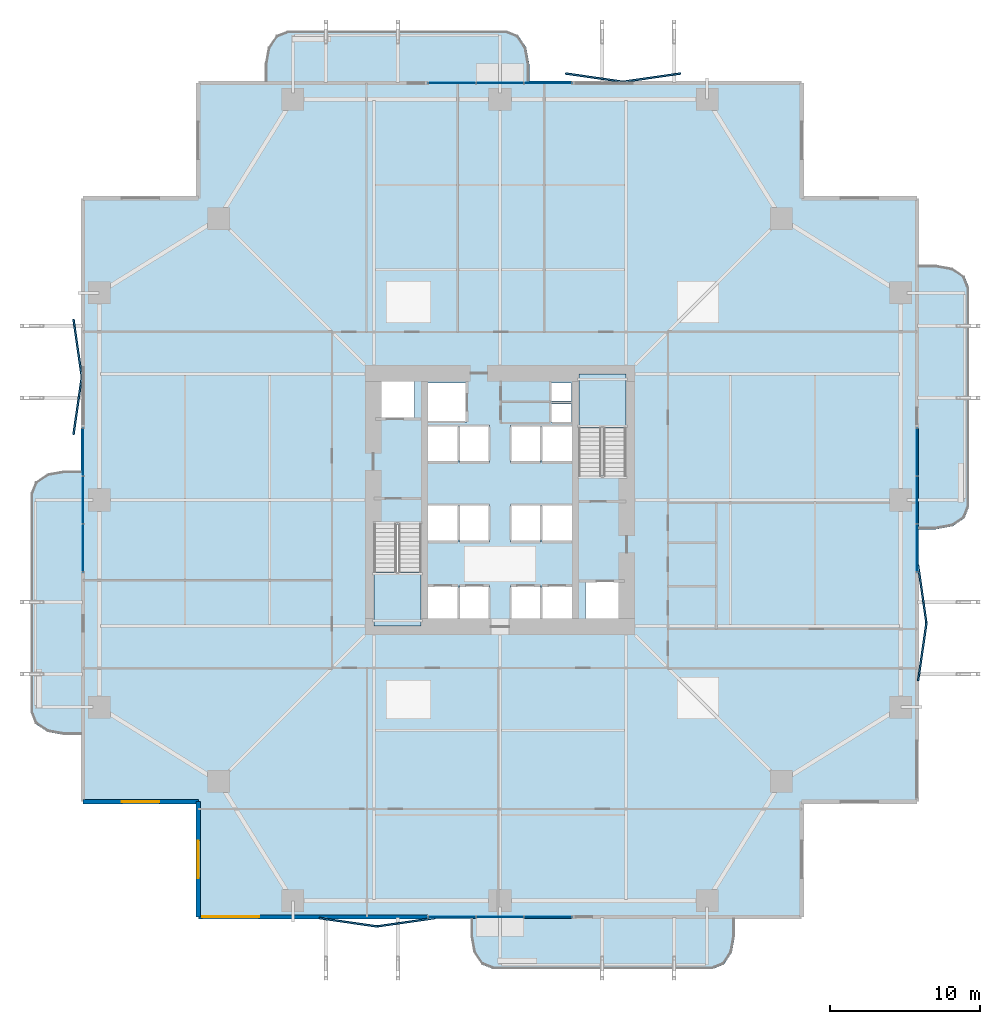
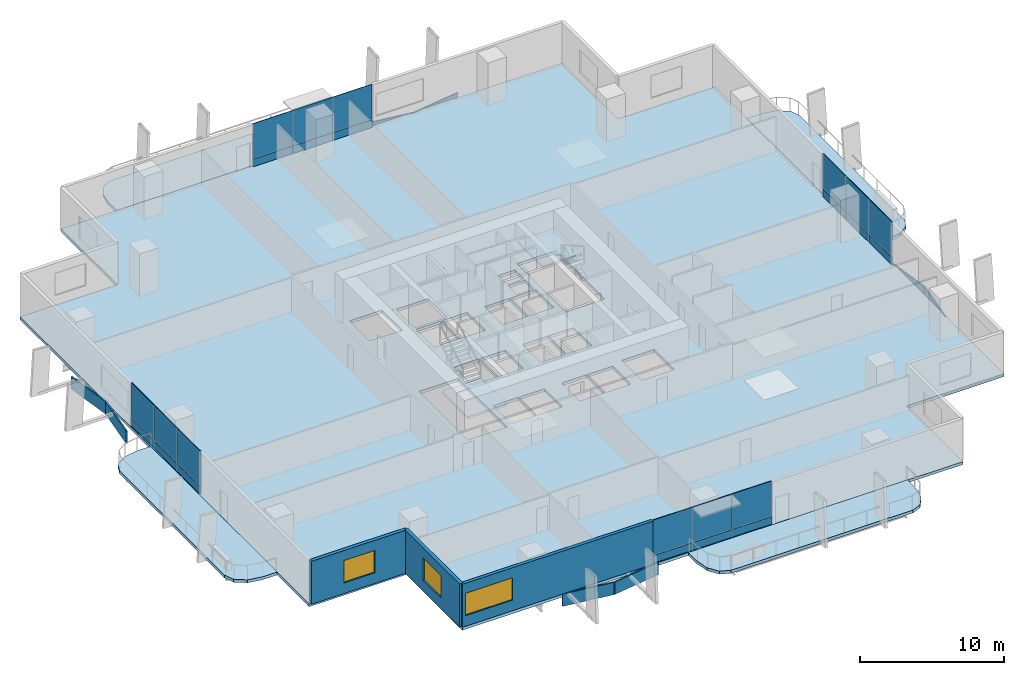
# One storey, part 16 of 24: 32 plates, 7 slabs, 3 walls, 3 windows, 3 openings, 6 elements without a shape of their own.
"""IFC4 building model written with IfcOpenShell, lengths in metres."""

from ifc_helpers import new_model, si_unit, direction, frame, frame_2d, origin, origin_2d, place, context, subcontext, project, spatial, polyline, rectangle, outline, extrude, material, layer, layer_set, type_object, element, fill, aggregate, save


model = new_model("IFC4")

# Units and contexts
model_context = context("Model", 3, precision=1e-05, world=origin(), true_north=direction((0.0, 1.0)))
body_context = subcontext(model_context, "Body", "Model", "MODEL_VIEW")
ifc_project = project(units=[si_unit("LENGTHUNIT", "METRE"), si_unit("AREAUNIT", "SQUARE_METRE"), si_unit("VOLUMEUNIT", "CUBIC_METRE"), si_unit("PLANEANGLEUNIT", "RADIAN"), si_unit("MASSUNIT", "GRAM", prefix="KILO")], contexts=[model_context])

# Site, building, storey
site_placement = place(None, origin())
site = spatial("IfcSite", under=ifc_project, at=site_placement, CompositionType="ELEMENT")
building_placement = place(site_placement, origin())
building = spatial("IfcBuilding", under=site, at=building_placement, Name="Belovzor Exchange Tower", CompositionType="ELEMENT")
storey_placement = place(building_placement, frame((0.0, 0.0, 33.89990234375)))
storey = spatial("IfcBuildingStorey", under=building, at=storey_placement, Name="L07", CompositionType="ELEMENT", Elevation=33.89990234375)

# Slab
ifc_material_1 = material(Name="Concrete C40/50", Category="concrete")
ifc_layer_1 = layer(ifc_material_1, 0.25)
ifc_layer_set_1 = layer_set([ifc_layer_1], Name="Concrete C40/50")
slab_type_1 = type_object("IfcSlabType", Name="Composite Concrete Floor Deck Slab 250", PredefinedType="FLOOR", material=ifc_layer_set_1)
slab_1_placement = place(storey_placement, frame((0.0, 0.0, -0.25)))
element("IfcSlab", 1, at=slab_1_placement, inside=storey, type_object=slab_type_1, Name="SL-F250 Structural Slab L07", PredefinedType="FLOOR", context=body_context, shape_type="SweptSolid", body=[
    extrude(outline(polyline([(8.699951171875, 0.89990234375), (48.89990234375, 0.89990234375), (48.89990234375, 8.699951171875), (56.699951171875, 8.699951171875), (56.699951171875, 48.89990234375), (48.89990234375, 48.89990234375), (48.89990234375, 56.699951171875), (8.699951171875, 56.699951171875), (8.699951171875, 48.89990234375), (0.89990234375, 48.89990234375), (0.89990234375, 8.699951171875), (8.699951171875, 8.699951171875), (8.699951171875, 0.89990234375)]), holes=[polyline([(20.39990234375, 27.175048828125), (20.39990234375, 20.39990234375), (23.550048828125, 20.39990234375), (23.550048828125, 27.175048828125), (20.39990234375, 27.175048828125)]), polyline([(37.199951171875, 30.425048828125), (37.199951171875, 37.199951171875), (34.050048828125, 37.199951171875), (34.050048828125, 30.425048828125), (37.199951171875, 30.425048828125)]), polyline([(20.5, 34.199951171875), (23.10009765625, 34.199951171875), (23.10009765625, 37.0), (20.5, 37.0), (20.5, 34.199951171875)]), polyline([(34.5, 20.60009765625), (37.10009765625, 20.60009765625), (37.10009765625, 23.39990234375), (34.5, 23.39990234375), (34.5, 20.60009765625)]), polyline([(24.0, 34.0), (26.60009765625, 34.0), (26.60009765625, 36.60009765625), (24.0, 36.60009765625), (24.0, 34.0)]), polyline([(24.0, 20.60009765625), (26.0, 20.60009765625), (26.0, 23.10009765625), (24.0, 23.10009765625), (24.0, 20.60009765625)]), polyline([(26.10009765625, 20.60009765625), (28.10009765625, 20.60009765625), (28.10009765625, 23.10009765625), (26.10009765625, 23.10009765625), (26.10009765625, 20.60009765625)]), polyline([(29.5, 20.60009765625), (31.5, 20.60009765625), (31.5, 23.10009765625), (29.5, 23.10009765625), (29.5, 20.60009765625)]), polyline([(31.60009765625, 20.60009765625), (33.60009765625, 20.60009765625), (33.60009765625, 23.10009765625), (31.60009765625, 23.10009765625), (31.60009765625, 20.60009765625)]), polyline([(24.0, 26.0), (26.0, 26.0), (26.0, 28.5), (24.0, 28.5), (24.0, 26.0)]), polyline([(26.10009765625, 26.0), (28.10009765625, 26.0), (28.10009765625, 28.5), (26.10009765625, 28.5), (26.10009765625, 26.0)]), polyline([(29.5, 26.0), (31.5, 26.0), (31.5, 28.5), (29.5, 28.5), (29.5, 26.0)]), polyline([(31.60009765625, 26.0), (33.60009765625, 26.0), (33.60009765625, 28.5), (31.60009765625, 28.5), (31.60009765625, 26.0)]), polyline([(24.0, 31.300048828125), (26.0, 31.300048828125), (26.0, 33.800048828125), (24.0, 33.800048828125), (24.0, 31.300048828125)]), polyline([(26.10009765625, 31.300048828125), (28.10009765625, 31.300048828125), (28.10009765625, 33.800048828125), (26.10009765625, 33.800048828125), (26.10009765625, 31.300048828125)]), polyline([(29.5, 31.300048828125), (31.5, 31.300048828125), (31.5, 33.800048828125), (29.5, 33.800048828125), (29.5, 31.300048828125)]), polyline([(31.60009765625, 31.300048828125), (33.60009765625, 31.300048828125), (33.60009765625, 33.800048828125), (31.60009765625, 33.800048828125), (31.60009765625, 31.300048828125)]), polyline([(32.199951171875, 34.0), (33.550048828125, 34.0), (33.550048828125, 35.199951171875), (32.199951171875, 35.199951171875), (32.199951171875, 34.0)]), polyline([(32.199951171875, 35.39990234375), (33.550048828125, 35.39990234375), (33.550048828125, 36.60009765625), (32.199951171875, 36.60009765625), (32.199951171875, 35.39990234375)])]), origin(), (0.0, 0.0, 1.0), 0.25),
])

# Plates
ifc_material_2 = material(Name="Extruded Architectural Terracotta", Category="masonry")
ifc_layer_2 = layer(ifc_material_2, 0.1201171875)
ifc_layer_set_2 = layer_set([ifc_layer_2], Name="Extruded Architectural Terracotta")
plate_type_1 = type_object("IfcPlateType", Name="Folded Zigzag Terracotta Spandrel Louvre 80", PredefinedType="USERDEFINED", material=ifc_layer_set_2)
for number, where, z_axis, x_axis, name in (
    (2, (18.699951171875, 0.6650390625, -1.03515625), (0.0, 0.0, 1.0), (0.989686419138, -0.143250800258, 0.0), "LVR-ZZ1 Zigzag Terracotta Spandrel Louvre L07 S1A"),
    (3, (22.5, 0.6650390625, -1.03515625), (0.0, 0.0, 1.0), (0.989686419138, 0.143250800258, 0.0), "LVR-ZZ1 Zigzag Terracotta Spandrel Louvre L07 S1B"),
    (4, (56.93505859375, 18.699951171875, -1.03515625), (0.0, 0.0, 1.0), (0.143250800258, 0.989686419138, 0.0), "LVR-ZZ1 Zigzag Terracotta Spandrel Louvre L07 E1A"),
    (5, (56.93505859375, 22.5, -1.03515625), (0.0, 0.0, 1.0), (-0.143250800258, 0.989686419138, 0.0), "LVR-ZZ1 Zigzag Terracotta Spandrel Louvre L07 E1B"),
    (6, (35.10009765625, 56.93505859375, -1.03515625), (0.0, 0.0, 1.0), (0.989686419138, -0.143250800258, 0.0), "LVR-ZZ1 Zigzag Terracotta Spandrel Louvre L07 N2A"),
    (7, (38.89990234375, 56.93505859375, -1.03515625), (0.0, 0.0, 1.0), (0.989686419138, 0.143250800258, 0.0), "LVR-ZZ1 Zigzag Terracotta Spandrel Louvre L07 N2B"),
    (8, (0.6650390625, 35.10009765625, -1.03515625), (0.0, 0.0, 1.0), (0.143250800258, 0.989686419138, 0.0), "LVR-ZZ1 Zigzag Terracotta Spandrel Louvre L07 W2A"),
    (9, (0.6650390625, 38.89990234375, -1.03515625), (0.0, 0.0, 1.0), (-0.143250800258, 0.989686419138, 0.0), "LVR-ZZ1 Zigzag Terracotta Spandrel Louvre L07 W2B"),
):
    element("IfcPlate", number, at=place(storey_placement, frame(where, z_axis=z_axis, x_axis=x_axis)), inside=storey, type_object=plate_type_1, Name=name, ObjectType="SPANDREL_LOUVRE", PredefinedType="USERDEFINED", context=body_context, shape_type="SweptSolid", body=[
        extrude(rectangle(XDim=3.919921875, YDim=0.1201171875, at=origin_2d()), origin(), (0.0, 0.0, 1.0), 1.050048828125),
    ])

# Curtain wall, plates
ifc_material_3 = material(Name="Anodised Aluminium Framing", Category="aluminium")
ifc_layer_3 = layer(ifc_material_3, 0.179931640625)
ifc_layer_set_3 = layer_set([ifc_layer_3], Name="Anodised Aluminium Framing")
curtain_wall_type = type_object("IfcCurtainWallType", Name="Recessed Loggia Low-Iron Triple-Glazed Curtain Wall", PredefinedType="NOTDEFINED", material=ifc_layer_set_3)
curtain_wall_1_placement = place(storey_placement, origin())
curtain_wall_1 = element("IfcCurtainWall", 10, at=curtain_wall_1_placement, inside=storey, type_object=curtain_wall_type, Name="CW3 Recessed Loggia Low-Iron Triple-Glazed Curtain Wall L07", PredefinedType="NOTDEFINED")
ifc_material_4 = material(Name="Solar-Control Triple Glazing", Category="glass")
ifc_layer_4 = layer(ifc_material_4, 0.0439453125)
ifc_layer_set_4 = layer_set([ifc_layer_4], Name="Solar-Control Triple Glazing")
plate_type_2 = type_object("IfcPlateType", Name="Insulated Solar Glazing Curtain Panel 44", PredefinedType="CURTAIN_PANEL", material=ifc_layer_set_4)
plate_1_placement = place(storey_placement, frame((32.0, 1.030029296875, 0.652099609375), z_axis=(0.0, 0.0, 1.0), x_axis=(-1.0, 0.0, 0.0)))
plate_1 = element("IfcPlate", 11, at=plate_1_placement, type_object=plate_type_2, Name="GLZ-44 Glazed Curtain Panel 1", PredefinedType="CURTAIN_PANEL", context=body_context, shape_type="SweptSolid", body=[
    extrude(rectangle(XDim=3.18408203125, YDim=0.0439453125, at=origin_2d()), origin(), (0.0, 0.0, 1.0), 2.998046875),
])
plate_2_placement = place(storey_placement, frame((28.800048828125, 1.030029296875, 0.652099609375), z_axis=(0.0, 0.0, 1.0), x_axis=(-1.0, 0.0, 0.0)))
plate_2 = element("IfcPlate", 12, at=plate_2_placement, type_object=plate_type_2, Name="GLZ-44 Glazed Curtain Panel 2", PredefinedType="CURTAIN_PANEL", context=body_context, shape_type="SweptSolid", body=[
    extrude(rectangle(XDim=3.18408203125, YDim=0.0439453125, at=origin_2d()), origin(), (0.0, 0.0, 1.0), 2.998046875),
])
plate_3_placement = place(storey_placement, frame((25.60009765625, 1.030029296875, 0.652099609375), z_axis=(0.0, 0.0, 1.0), x_axis=(-1.0, 0.0, 0.0)))
plate_3 = element("IfcPlate", 13, at=plate_3_placement, type_object=plate_type_2, Name="GLZ-44 Glazed Curtain Panel 3", PredefinedType="CURTAIN_PANEL", context=body_context, shape_type="SweptSolid", body=[
    extrude(rectangle(XDim=3.18408203125, YDim=0.0439453125, at=origin_2d()), origin(), (0.0, 0.0, 1.0), 2.998046875),
])

curtain_wall_2_placement = place(storey_placement, origin())
curtain_wall_2 = element("IfcCurtainWall", 14, at=curtain_wall_2_placement, inside=storey, type_object=curtain_wall_type, Name="CW3 Recessed Loggia Low-Iron Triple-Glazed Curtain Wall L07", PredefinedType="NOTDEFINED")
plate_4_placement = place(storey_placement, frame((25.60009765625, 56.570068359375, 0.652099609375), z_axis=(0.0, 0.0, 1.0), x_axis=(1.0, 0.0, 0.0)))
plate_4 = element("IfcPlate", 15, at=plate_4_placement, type_object=plate_type_2, Name="GLZ-44 Glazed Curtain Panel 1", PredefinedType="CURTAIN_PANEL", context=body_context, shape_type="SweptSolid", body=[
    extrude(rectangle(XDim=3.18408203125, YDim=0.0439453125, at=origin_2d()), origin(), (0.0, 0.0, 1.0), 2.998046875),
])
plate_5_placement = place(storey_placement, frame((28.800048828125, 56.570068359375, 0.652099609375), z_axis=(0.0, 0.0, 1.0), x_axis=(1.0, 0.0, 0.0)))
plate_5 = element("IfcPlate", 16, at=plate_5_placement, type_object=plate_type_2, Name="GLZ-44 Glazed Curtain Panel 2", PredefinedType="CURTAIN_PANEL", context=body_context, shape_type="SweptSolid", body=[
    extrude(rectangle(XDim=3.18408203125, YDim=0.0439453125, at=origin_2d()), origin(), (0.0, 0.0, 1.0), 2.998046875),
])
plate_6_placement = place(storey_placement, frame((32.0, 56.570068359375, 0.652099609375), z_axis=(0.0, 0.0, 1.0), x_axis=(1.0, 0.0, 0.0)))
plate_6 = element("IfcPlate", 17, at=plate_6_placement, type_object=plate_type_2, Name="GLZ-44 Glazed Curtain Panel 3", PredefinedType="CURTAIN_PANEL", context=body_context, shape_type="SweptSolid", body=[
    extrude(rectangle(XDim=3.18408203125, YDim=0.0439453125, at=origin_2d()), origin(), (0.0, 0.0, 1.0), 2.998046875),
])

curtain_wall_3_placement = place(storey_placement, origin())
curtain_wall_3 = element("IfcCurtainWall", 18, at=curtain_wall_3_placement, inside=storey, type_object=curtain_wall_type, Name="CW3 Recessed Loggia Low-Iron Triple-Glazed Curtain Wall L07", PredefinedType="NOTDEFINED")
plate_7_placement = place(storey_placement, frame((1.030029296875, 25.60009765625, 0.652099609375), z_axis=(0.0, 0.0, 1.0), x_axis=(0.0, 1.0, 0.0)))
plate_7 = element("IfcPlate", 19, at=plate_7_placement, type_object=plate_type_2, Name="GLZ-44 Glazed Curtain Panel 1", PredefinedType="CURTAIN_PANEL", context=body_context, shape_type="SweptSolid", body=[
    extrude(rectangle(XDim=3.18408203125, YDim=0.0439453125, at=origin_2d()), origin(), (0.0, 0.0, 1.0), 2.998046875),
])
plate_8_placement = place(storey_placement, frame((1.030029296875, 28.800048828125, 0.652099609375), z_axis=(0.0, 0.0, 1.0), x_axis=(0.0, 1.0, 0.0)))
plate_8 = element("IfcPlate", 20, at=plate_8_placement, type_object=plate_type_2, Name="GLZ-44 Glazed Curtain Panel 2", PredefinedType="CURTAIN_PANEL", context=body_context, shape_type="SweptSolid", body=[
    extrude(rectangle(XDim=3.18408203125, YDim=0.0439453125, at=origin_2d()), origin(), (0.0, 0.0, 1.0), 2.998046875),
])
plate_9_placement = place(storey_placement, frame((1.030029296875, 32.0, 0.652099609375), z_axis=(0.0, 0.0, 1.0), x_axis=(0.0, 1.0, 0.0)))
plate_9 = element("IfcPlate", 21, at=plate_9_placement, type_object=plate_type_2, Name="GLZ-44 Glazed Curtain Panel 3", PredefinedType="CURTAIN_PANEL", context=body_context, shape_type="SweptSolid", body=[
    extrude(rectangle(XDim=3.18408203125, YDim=0.0439453125, at=origin_2d()), origin(), (0.0, 0.0, 1.0), 2.998046875),
])

curtain_wall_4_placement = place(storey_placement, origin())
curtain_wall_4 = element("IfcCurtainWall", 22, at=curtain_wall_4_placement, inside=storey, type_object=curtain_wall_type, Name="CW3 Recessed Loggia Low-Iron Triple-Glazed Curtain Wall L07", PredefinedType="NOTDEFINED")
plate_10_placement = place(storey_placement, frame((56.570068359375, 32.0, 0.652099609375), z_axis=(0.0, 0.0, 1.0), x_axis=(0.0, -1.0, 0.0)))
plate_10 = element("IfcPlate", 23, at=plate_10_placement, type_object=plate_type_2, Name="GLZ-44 Glazed Curtain Panel 1", PredefinedType="CURTAIN_PANEL", context=body_context, shape_type="SweptSolid", body=[
    extrude(rectangle(XDim=3.18408203125, YDim=0.0439453125, at=origin_2d()), origin(), (0.0, 0.0, 1.0), 2.998046875),
])
plate_11_placement = place(storey_placement, frame((56.570068359375, 28.800048828125, 0.652099609375), z_axis=(0.0, 0.0, 1.0), x_axis=(0.0, -1.0, 0.0)))
plate_11 = element("IfcPlate", 24, at=plate_11_placement, type_object=plate_type_2, Name="GLZ-44 Glazed Curtain Panel 2", PredefinedType="CURTAIN_PANEL", context=body_context, shape_type="SweptSolid", body=[
    extrude(rectangle(XDim=3.18408203125, YDim=0.0439453125, at=origin_2d()), origin(), (0.0, 0.0, 1.0), 2.998046875),
])
plate_12_placement = place(storey_placement, frame((56.570068359375, 25.60009765625, 0.652099609375), z_axis=(0.0, 0.0, 1.0), x_axis=(0.0, -1.0, 0.0)))
plate_12 = element("IfcPlate", 25, at=plate_12_placement, type_object=plate_type_2, Name="GLZ-44 Glazed Curtain Panel 3", PredefinedType="CURTAIN_PANEL", context=body_context, shape_type="SweptSolid", body=[
    extrude(rectangle(XDim=3.18408203125, YDim=0.0439453125, at=origin_2d()), origin(), (0.0, 0.0, 1.0), 2.998046875),
])

# Stair, slab
ifc_material_5 = material(Name="Concrete C40/50", Category="concrete")
stair_type = type_object("IfcStairType", Name="Reinforced Concrete Dogleg Escape Stair 1350", PredefinedType="HALF_TURN_STAIR", material=ifc_material_5)
stair_1_placement = place(storey_placement, origin())
stair_1 = element("IfcStair", 26, at=stair_1_placement, inside=storey, type_object=stair_type, Name="L07 ST-1", PredefinedType="HALF_TURN_STAIR")
ifc_material_6 = material(Name="Concrete C40/50", Category="concrete")
ifc_layer_5 = layer(ifc_material_6, 0.199951171875)
ifc_layer_set_5 = layer_set([ifc_layer_5], Name="Concrete C40/50")
slab_type_2 = type_object("IfcSlabType", Name="Reinforced Concrete Stair Half-Landing Slab 200", PredefinedType="LANDING", material=ifc_layer_set_5)
slab_2_placement = place(storey_placement, frame((0.0, 0.0, 1.75)))
slab_2 = element("IfcSlab", 27, at=slab_2_placement, type_object=slab_type_2, Name="ST-1 landing 1", PredefinedType="LANDING", context=body_context, shape_type="SweptSolid", body=[
    extrude(outline(polyline([(20.39990234375, 24.010009765625), (20.39990234375, 20.39990234375), (23.550048828125, 20.39990234375), (23.550048828125, 24.010009765625), (20.39990234375, 24.010009765625)])), origin(), (0.0, 0.0, 1.0), 0.2001953125),
])
aggregate(stair_1, [slab_2])

stair_2_placement = place(storey_placement, origin())
stair_2 = element("IfcStair", 28, at=stair_2_placement, inside=storey, type_object=stair_type, Name="L07 ST-2", PredefinedType="HALF_TURN_STAIR")
slab_3_placement = place(storey_placement, frame((0.0, 0.0, 1.75)))
slab_3 = element("IfcSlab", 29, at=slab_3_placement, type_object=slab_type_2, Name="ST-2 landing 1", PredefinedType="LANDING", context=body_context, shape_type="SweptSolid", body=[
    extrude(outline(polyline([(37.199951171875, 33.590087890625), (37.199951171875, 37.199951171875), (34.050048828125, 37.199951171875), (34.050048828125, 33.590087890625), (37.199951171875, 33.590087890625)])), origin(), (0.0, 0.0, 1.0), 0.2001953125),
])
aggregate(stair_2, [slab_3])

# Plate
ifc_material_7 = material(Name="Extruded Architectural Terracotta", Category="masonry")
ifc_layer_6 = layer(ifc_material_7, 0.090087890625)
ifc_layer_set_6 = layer_set([ifc_layer_6], Name="Extruded Architectural Terracotta")
plate_type_3 = type_object("IfcPlateType", Name="Terracotta Shadow-Box Spandrel Panel 90", PredefinedType="CURTAIN_PANEL", material=ifc_layer_set_6)
plate_13_placement = place(storey_placement, frame((32.0, 1.030029296875, 0.000244140625), z_axis=(0.0, 0.0, 1.0), x_axis=(-1.0, 0.0, 0.0)))
plate_13 = element("IfcPlate", 30, at=plate_13_placement, type_object=plate_type_3, Name="SPD-90 Spandrel Panel 1", PredefinedType="CURTAIN_PANEL", context=body_context, shape_type="SweptSolid", body=[
    extrude(rectangle(XDim=3.18408203125, YDim=0.090087890625, at=origin_2d()), origin(), (0.0, 0.0, 1.0), 0.64794921875),
])

plate_14_placement = place(storey_placement, frame((28.800048828125, 1.030029296875, 0.000244140625), z_axis=(0.0, 0.0, 1.0), x_axis=(-1.0, 0.0, 0.0)))
plate_14 = element("IfcPlate", 31, at=plate_14_placement, type_object=plate_type_3, Name="SPD-90 Spandrel Panel 2", PredefinedType="CURTAIN_PANEL", context=body_context, shape_type="SweptSolid", body=[
    extrude(rectangle(XDim=3.18408203125, YDim=0.090087890625, at=origin_2d()), origin(), (0.0, 0.0, 1.0), 0.64794921875),
])

plate_15_placement = place(storey_placement, frame((25.60009765625, 1.030029296875, 0.000244140625), z_axis=(0.0, 0.0, 1.0), x_axis=(-1.0, 0.0, 0.0)))
plate_15 = element("IfcPlate", 32, at=plate_15_placement, type_object=plate_type_3, Name="SPD-90 Spandrel Panel 3", PredefinedType="CURTAIN_PANEL", context=body_context, shape_type="SweptSolid", body=[
    extrude(rectangle(XDim=3.18408203125, YDim=0.090087890625, at=origin_2d()), origin(), (0.0, 0.0, 1.0), 0.64794921875),
])

aggregate(curtain_wall_1, [plate_13, plate_1, plate_14, plate_2, plate_15, plate_3])

plate_16_placement = place(storey_placement, frame((25.60009765625, 56.570068359375, 0.000244140625), z_axis=(0.0, 0.0, 1.0), x_axis=(1.0, 0.0, 0.0)))
plate_16 = element("IfcPlate", 33, at=plate_16_placement, type_object=plate_type_3, Name="SPD-90 Spandrel Panel 1", PredefinedType="CURTAIN_PANEL", context=body_context, shape_type="SweptSolid", body=[
    extrude(rectangle(XDim=3.18408203125, YDim=0.090087890625, at=origin_2d()), origin(), (0.0, 0.0, 1.0), 0.64794921875),
])

plate_17_placement = place(storey_placement, frame((28.800048828125, 56.570068359375, 0.000244140625), z_axis=(0.0, 0.0, 1.0), x_axis=(1.0, 0.0, 0.0)))
plate_17 = element("IfcPlate", 34, at=plate_17_placement, type_object=plate_type_3, Name="SPD-90 Spandrel Panel 2", PredefinedType="CURTAIN_PANEL", context=body_context, shape_type="SweptSolid", body=[
    extrude(rectangle(XDim=3.18408203125, YDim=0.090087890625, at=origin_2d()), origin(), (0.0, 0.0, 1.0), 0.64794921875),
])

plate_18_placement = place(storey_placement, frame((32.0, 56.570068359375, 0.000244140625), z_axis=(0.0, 0.0, 1.0), x_axis=(1.0, 0.0, 0.0)))
plate_18 = element("IfcPlate", 35, at=plate_18_placement, type_object=plate_type_3, Name="SPD-90 Spandrel Panel 3", PredefinedType="CURTAIN_PANEL", context=body_context, shape_type="SweptSolid", body=[
    extrude(rectangle(XDim=3.18408203125, YDim=0.090087890625, at=origin_2d()), origin(), (0.0, 0.0, 1.0), 0.64794921875),
])

aggregate(curtain_wall_2, [plate_16, plate_4, plate_17, plate_5, plate_18, plate_6])

plate_19_placement = place(storey_placement, frame((1.030029296875, 25.60009765625, 0.000244140625), z_axis=(0.0, 0.0, 1.0), x_axis=(0.0, 1.0, 0.0)))
plate_19 = element("IfcPlate", 36, at=plate_19_placement, type_object=plate_type_3, Name="SPD-90 Spandrel Panel 1", PredefinedType="CURTAIN_PANEL", context=body_context, shape_type="SweptSolid", body=[
    extrude(rectangle(XDim=3.18408203125, YDim=0.090087890625, at=origin_2d()), origin(), (0.0, 0.0, 1.0), 0.64794921875),
])

plate_20_placement = place(storey_placement, frame((1.030029296875, 28.800048828125, 0.000244140625), z_axis=(0.0, 0.0, 1.0), x_axis=(0.0, 1.0, 0.0)))
plate_20 = element("IfcPlate", 37, at=plate_20_placement, type_object=plate_type_3, Name="SPD-90 Spandrel Panel 2", PredefinedType="CURTAIN_PANEL", context=body_context, shape_type="SweptSolid", body=[
    extrude(rectangle(XDim=3.18408203125, YDim=0.090087890625, at=origin_2d()), origin(), (0.0, 0.0, 1.0), 0.64794921875),
])

plate_21_placement = place(storey_placement, frame((1.030029296875, 32.0, 0.000244140625), z_axis=(0.0, 0.0, 1.0), x_axis=(0.0, 1.0, 0.0)))
plate_21 = element("IfcPlate", 38, at=plate_21_placement, type_object=plate_type_3, Name="SPD-90 Spandrel Panel 3", PredefinedType="CURTAIN_PANEL", context=body_context, shape_type="SweptSolid", body=[
    extrude(rectangle(XDim=3.18408203125, YDim=0.090087890625, at=origin_2d()), origin(), (0.0, 0.0, 1.0), 0.64794921875),
])

aggregate(curtain_wall_3, [plate_19, plate_7, plate_20, plate_8, plate_21, plate_9])

plate_22_placement = place(storey_placement, frame((56.570068359375, 32.0, 0.000244140625), z_axis=(0.0, 0.0, 1.0), x_axis=(0.0, -1.0, 0.0)))
plate_22 = element("IfcPlate", 39, at=plate_22_placement, type_object=plate_type_3, Name="SPD-90 Spandrel Panel 1", PredefinedType="CURTAIN_PANEL", context=body_context, shape_type="SweptSolid", body=[
    extrude(rectangle(XDim=3.18408203125, YDim=0.090087890625, at=origin_2d()), origin(), (0.0, 0.0, 1.0), 0.64794921875),
])

plate_23_placement = place(storey_placement, frame((56.570068359375, 28.800048828125, 0.000244140625), z_axis=(0.0, 0.0, 1.0), x_axis=(0.0, -1.0, 0.0)))
plate_23 = element("IfcPlate", 40, at=plate_23_placement, type_object=plate_type_3, Name="SPD-90 Spandrel Panel 2", PredefinedType="CURTAIN_PANEL", context=body_context, shape_type="SweptSolid", body=[
    extrude(rectangle(XDim=3.18408203125, YDim=0.090087890625, at=origin_2d()), origin(), (0.0, 0.0, 1.0), 0.64794921875),
])

plate_24_placement = place(storey_placement, frame((56.570068359375, 25.60009765625, 0.000244140625), z_axis=(0.0, 0.0, 1.0), x_axis=(0.0, -1.0, 0.0)))
plate_24 = element("IfcPlate", 41, at=plate_24_placement, type_object=plate_type_3, Name="SPD-90 Spandrel Panel 3", PredefinedType="CURTAIN_PANEL", context=body_context, shape_type="SweptSolid", body=[
    extrude(rectangle(XDim=3.18408203125, YDim=0.090087890625, at=origin_2d()), origin(), (0.0, 0.0, 1.0), 0.64794921875),
])

aggregate(curtain_wall_4, [plate_22, plate_10, plate_23, plate_11, plate_24, plate_12])

# Slabs
ifc_material_8 = material(Name="Concrete C40/50", Category="concrete")
ifc_layer_7 = layer(ifc_material_8, 0.25)
ifc_layer_set_7 = layer_set([ifc_layer_7], Name="Concrete C40/50")
slab_type_3 = type_object("IfcSlabType", Name="Thermally Broken Planted Balcony Slab 250", PredefinedType="FLOOR", material=ifc_layer_set_7)
slab_4_placement = place(storey_placement, frame((0.0, 0.0, -0.25)))
element("IfcSlab", 42, at=slab_4_placement, inside=storey, type_object=slab_type_3, Name="SL-BAL220 Planted Balcony Loggia L07 South", PredefinedType="FLOOR", context=body_context, shape_type="SweptSolid", body=[
    extrude(outline(polyline([(26.85009765625, 0.9150390625), (26.85009765625, -0.25), (27.051025390625, -1.35009765625), (27.60009765625, -2.155029296875), (28.35009765625, -2.449951171875), (42.949951171875, -2.449951171875), (43.699951171875, -2.155029296875), (44.2490234375, -1.35009765625), (44.449951171875, -0.25), (44.449951171875, 0.9150390625), (26.85009765625, 0.9150390625)])), origin(), (0.0, 0.0, 1.0), 0.25),
])
slab_5_placement = place(storey_placement, frame((0.0, 0.0, -0.25)))
element("IfcSlab", 43, at=slab_5_placement, inside=storey, type_object=slab_type_3, Name="SL-BAL220 Planted Balcony Loggia L07 North", PredefinedType="FLOOR", context=body_context, shape_type="SweptSolid", body=[
    extrude(outline(polyline([(30.75, 56.68505859375), (30.75, 57.85009765625), (30.549072265625, 58.949951171875), (30.0, 59.7548828125), (29.25, 60.050048828125), (14.64990234375, 60.050048828125), (13.89990234375, 59.7548828125), (13.35107421875, 58.949951171875), (13.14990234375, 57.85009765625), (13.14990234375, 56.68505859375), (30.75, 56.68505859375)])), origin(), (0.0, 0.0, 1.0), 0.25),
])
slab_6_placement = place(storey_placement, frame((0.0, 0.0, -0.25)))
element("IfcSlab", 44, at=slab_6_placement, inside=storey, type_object=slab_type_3, Name="SL-BAL220 Planted Balcony Loggia L07 East", PredefinedType="FLOOR", context=body_context, shape_type="SweptSolid", body=[
    extrude(outline(polyline([(56.68505859375, 26.85009765625), (57.85009765625, 26.85009765625), (58.949951171875, 27.051025390625), (59.7548828125, 27.60009765625), (60.050048828125, 28.35009765625), (60.050048828125, 42.949951171875), (59.7548828125, 43.699951171875), (58.949951171875, 44.2490234375), (57.85009765625, 44.449951171875), (56.68505859375, 44.449951171875), (56.68505859375, 26.85009765625)])), origin(), (0.0, 0.0, 1.0), 0.25),
])
slab_7_placement = place(storey_placement, frame((0.0, 0.0, -0.25)))
element("IfcSlab", 45, at=slab_7_placement, inside=storey, type_object=slab_type_3, Name="SL-BAL220 Planted Balcony Loggia L07 West", PredefinedType="FLOOR", context=body_context, shape_type="SweptSolid", body=[
    extrude(outline(polyline([(0.9150390625, 30.75), (-0.25, 30.75), (-1.35009765625, 30.549072265625), (-2.155029296875, 30.0), (-2.449951171875, 29.25), (-2.449951171875, 14.64990234375), (-2.155029296875, 13.89990234375), (-1.35009765625, 13.35107421875), (-0.25, 13.14990234375), (0.9150390625, 13.14990234375), (0.9150390625, 30.75)])), origin(), (0.0, 0.0, 1.0), 0.25),
])

# Wall, opening, window
ifc_material_9 = material(Name="Precast concrete C40/50", Category="concrete")
ifc_layer_8 = layer(ifc_material_9, 0.280029296875)
ifc_layer_set_8 = layer_set([ifc_layer_8], Name="Precast concrete C40/50")
wall_type_1 = type_object("IfcWallType", Name="Precast Concrete Notched Corner Frame Wall 280", PredefinedType="SOLIDWALL", material=ifc_layer_set_8)
wall_1_placement = place(storey_placement, frame((8.699951171875, 1.030029296875, 0.0), z_axis=(0.0, 0.0, 1.0), x_axis=(0.0, 1.0, 0.0)))
wall_1 = element("IfcWall", 46, at=wall_1_placement, inside=storey, type_object=wall_type_1, Name="W-CRN280 Precast Concrete Notched Corner Frame Wall 280 L07", PredefinedType="SOLIDWALL", context=body_context, shape_type="SweptSolid", body=[
    extrude(rectangle(XDim=7.669921875, YDim=0.280029296875, at=frame_2d((3.8349609375, 0.0))), origin(), (0.0, 0.0, 1.0), 3.650146484375),
])
opening_1_placement = place(wall_1_placement, frame((2.5849609375, 0.0, 0.89990234375)))
opening_1 = element("IfcOpeningElement", 47, at=opening_1_placement, cuts=wall_1, Name="Opening WN-CRN250", PredefinedType="OPENING", context=body_context, shape_type="SweptSolid", body=[
    extrude(rectangle(XDim=2.5, YDim=1.89990234375, at=frame_2d((1.25, 0.949951171875))), frame((0.0, 0.14990234375, 0.0), z_axis=(0.0, -1.0, 0.0), x_axis=(1.0, 0.0, 0.0)), (0.0, 0.0, 1.0), 0.300048828125),
])
ifc_material_10 = material(Name="Thermally Broken Aluminium and Triple Glazing", Category="aluminium")
window_type_1 = type_object("IfcWindowType", Name="Streamline Moderne Corner Wrap Ribbon Window 2500x1900", PartitioningType="SINGLE_PANEL", PredefinedType="WINDOW", material=ifc_material_10)
window_1_placement = place(opening_1_placement, origin())
window_1 = element("IfcWindow", 48, at=window_1_placement, inside=storey, type_object=window_type_1, Name="WN-CRN250 Streamline Moderne Corner Wrap Ribbon Window 2500x1900", OverallHeight=1.89990234375, OverallWidth=2.5, PartitioningType="SINGLE_PANEL", PredefinedType="WINDOW", context=body_context, shape_type="SweptSolid", body=[
    extrude(rectangle(XDim=2.5, YDim=1.89990234375, at=frame_2d((1.25, 0.949951171875))), frame((0.0, 0.030029296875, 0.0), z_axis=(0.0, -1.0, 0.0), x_axis=(1.0, 0.0, 0.0)), (0.0, 0.0, 1.0), 0.06005859375),
])
fill(opening_1, window_1)

wall_2_placement = place(storey_placement, frame((8.699951171875, 8.699951171875, 0.0), z_axis=(0.0, 0.0, 1.0), x_axis=(-1.0, 0.0, 0.0)))
wall_2 = element("IfcWall", 49, at=wall_2_placement, inside=storey, type_object=wall_type_1, Name="W-CRN280 Precast Concrete Notched Corner Frame Wall 280 L07", PredefinedType="SOLIDWALL", context=body_context, shape_type="SweptSolid", body=[
    extrude(rectangle(XDim=7.669921875, YDim=0.280029296875, at=frame_2d((3.8349609375, 0.0))), origin(), (0.0, 0.0, 1.0), 3.650146484375),
])
opening_2_placement = place(wall_2_placement, frame((2.5849609375, 0.0, 0.89990234375)))
opening_2 = element("IfcOpeningElement", 50, at=opening_2_placement, cuts=wall_2, Name="Opening WN-CRN250", PredefinedType="OPENING", context=body_context, shape_type="SweptSolid", body=[
    extrude(rectangle(XDim=2.5, YDim=1.89990234375, at=frame_2d((1.25, 0.949951171875))), frame((0.0, 0.14990234375, 0.0), z_axis=(0.0, -1.0, 0.0), x_axis=(1.0, 0.0, 0.0)), (0.0, 0.0, 1.0), 0.300048828125),
])
window_2_placement = place(opening_2_placement, origin())
window_2 = element("IfcWindow", 51, at=window_2_placement, inside=storey, type_object=window_type_1, Name="WN-CRN250 Streamline Moderne Corner Wrap Ribbon Window 2500x1900", OverallHeight=1.89990234375, OverallWidth=2.5, PartitioningType="SINGLE_PANEL", PredefinedType="WINDOW", context=body_context, shape_type="SweptSolid", body=[
    extrude(rectangle(XDim=2.5, YDim=1.89990234375, at=frame_2d((1.25, 0.949951171875))), frame((0.0, 0.030029296875, 0.0), z_axis=(0.0, -1.0, 0.0), x_axis=(1.0, 0.0, 0.0)), (0.0, 0.0, 1.0), 0.06005859375),
])
fill(opening_2, window_2)

ifc_material_11 = material(Name="Precast concrete C40/50", Category="concrete")
ifc_layer_9 = layer(ifc_material_11, 0.260009765625)
ifc_layer_set_9 = layer_set([ifc_layer_9], Name="Precast concrete C40/50")
wall_type_2 = type_object("IfcWallType", Name="Precast Concrete Perimeter Loggia Frame Wall 260", PredefinedType="SOLIDWALL", material=ifc_layer_set_9)
wall_3_placement = place(storey_placement, frame((24.0, 1.030029296875, 0.0), z_axis=(0.0, 0.0, 1.0), x_axis=(-1.0, 0.0, 0.0)))
wall_3 = element("IfcWall", 52, at=wall_3_placement, inside=storey, type_object=wall_type_2, Name="W-EXT260 Precast Concrete Perimeter Loggia Frame Wall 260 L07", PredefinedType="SOLIDWALL", context=body_context, shape_type="SweptSolid", body=[
    extrude(rectangle(XDim=15.300048828125, YDim=0.260009765625, at=frame_2d((7.64990234375, 0.0))), origin(), (0.0, 0.0, 1.0), 3.650146484375),
])
opening_3_placement = place(wall_3_placement, frame((11.25, 0.0, 0.89990234375)))
opening_3 = element("IfcOpeningElement", 53, at=opening_3_placement, cuts=wall_3, Name="Opening WN-RIB380", PredefinedType="OPENING", context=body_context, shape_type="SweptSolid", body=[
    extrude(rectangle(XDim=3.800048828125, YDim=1.89990234375, at=frame_2d((1.89990234375, 0.949951171875))), frame((0.0, 0.139892578125, 0.0), z_axis=(0.0, -1.0, 0.0), x_axis=(1.0, 0.0, 0.0)), (0.0, 0.0, 1.0), 0.280029296875),
])
ifc_material_12 = material(Name="Thermally Broken Aluminium and Triple Glazing", Category="aluminium")
window_type_2 = type_object("IfcWindowType", Name="Streamline Moderne Horizontal Ribbon Window 3800x1900", PartitioningType="SINGLE_PANEL", PredefinedType="WINDOW", material=ifc_material_12)
window_3_placement = place(opening_3_placement, origin())
window_3 = element("IfcWindow", 54, at=window_3_placement, inside=storey, type_object=window_type_2, Name="WN-RIB380 Streamline Moderne Horizontal Ribbon Window 3800x1900", OverallHeight=1.89990234375, OverallWidth=3.800048828125, PartitioningType="SINGLE_PANEL", PredefinedType="WINDOW", context=body_context, shape_type="SweptSolid", body=[
    extrude(rectangle(XDim=3.800048828125, YDim=1.89990234375, at=frame_2d((1.89990234375, 0.949951171875))), frame((0.0, 0.030029296875, 0.0), z_axis=(0.0, -1.0, 0.0), x_axis=(1.0, 0.0, 0.0)), (0.0, 0.0, 1.0), 0.06005859375),
])
fill(opening_3, window_3)

save(model, "model.ifc")
